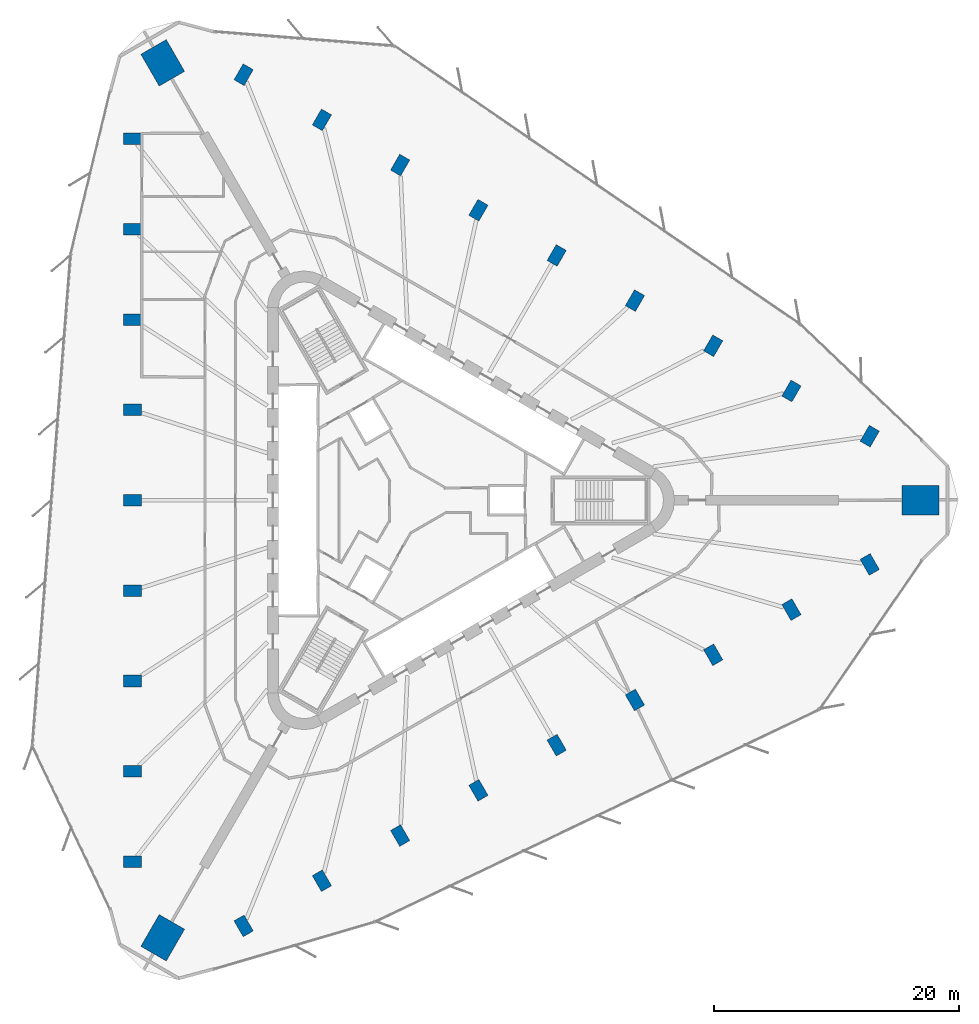
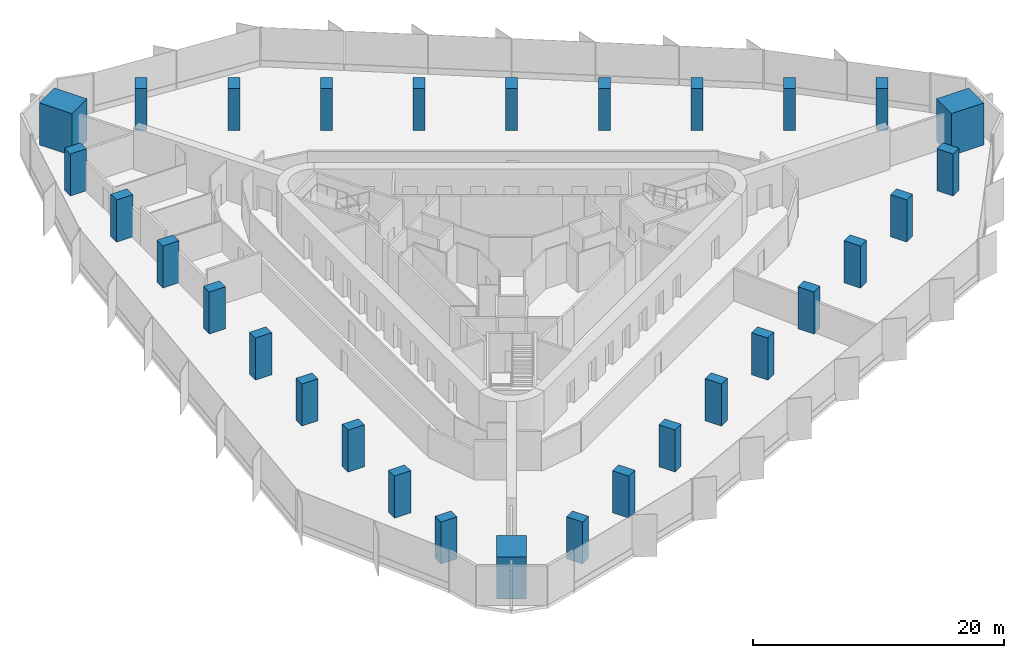
# One storey, part 1 of 14: 30 columns.
"""IFC4 building model written with IfcOpenShell, lengths in metres."""

import ifcopenshell
import ifcopenshell.guid

model = None  # the IFC model being written
_history = None  # IfcOwnerHistory: only IFC2X3 demands one
_inside = {}  # id of a spatial element -> (the spatial element, [elements in it])
_under = {}  # id of a project, library or spatial element -> (it, [spatial elements below it])
_declared = {}  # id of a project -> (the project, [libraries it declares])
_typed = {}  # id of a type object -> (the type object, [elements of that type])
_made_of = {}  # id of a material, layer set ... -> (it, [elements and type objects made of it])


def new_model(schema):
    """Start an empty IFC model of exactly this schema.

    Asked for "IFC4X3", IfcOpenShell would pick the latest addendum, in which some entities
    have other attributes; the version numbers below select the first issue.
    IFC2X3 requires an IfcOwnerHistory on every rooted entity: one is made here for all.
    """
    global model, _history
    if schema == "IFC4X3":
        model = ifcopenshell.file(schema_version=(4, 3, 0, 0))
    else:
        model = ifcopenshell.file(schema=schema)
    _inside.clear()
    _under.clear()
    _declared.clear()
    _typed.clear()
    _made_of.clear()
    _history = None
    if model.schema == "IFC2X3":
        org = make("IfcOrganization", Name="unknown")
        user = make(
            "IfcPersonAndOrganization",
            ThePerson=make("IfcPerson", FamilyName="unknown"),
            TheOrganization=org,
        )
        app = make(
            "IfcApplication",
            ApplicationDeveloper=org,
            Version="unknown",
            ApplicationFullName="unknown",
            ApplicationIdentifier="unknown",
        )
        _history = make(
            "IfcOwnerHistory",
            OwningUser=user,
            OwningApplication=app,
            ChangeAction="ADDED",
            CreationDate=0,
        )
    return model


def make(cls, **values):
    """One entity of the class cls with the attributes given. An attribute that is None is left unset."""
    return model.create_entity(
        cls, **{name: value for name, value in values.items() if value is not None}
    )


def rooted(cls, **values):
    """An entity with a GlobalId (a new one), such as an element, a storey or a relation."""
    return make(cls, GlobalId=ifcopenshell.guid.new(), OwnerHistory=_history, **values)


def si_unit(unit_type, name, prefix=None):
    """IfcSIUnit, for example si_unit("LENGTHUNIT", "METRE", prefix="MILLI")."""
    return make("IfcSIUnit", UnitType=unit_type, Prefix=prefix, Name=name)


def assignment(units):
    """IfcUnitAssignment: the units of a project."""
    return None if units is None else make("IfcUnitAssignment", Units=units)


def point(xyz):
    """IfcCartesianPoint."""
    return None if xyz is None else make("IfcCartesianPoint", Coordinates=xyz)


def direction(xyz):
    """IfcDirection."""
    return None if xyz is None else make("IfcDirection", DirectionRatios=xyz)


def frame(location, z_axis=None, x_axis=None):
    """IfcAxis2Placement3D, a coordinate frame: its origin and axes. An axis left out is left unset."""
    return make(
        "IfcAxis2Placement3D",
        Location=point(location),
        Axis=direction(z_axis),
        RefDirection=direction(x_axis),
    )


def frame_2d(location, x_axis=None):
    """IfcAxis2Placement2D, a coordinate frame in the plane: its origin and x axis."""
    return make(
        "IfcAxis2Placement2D", Location=point(location), RefDirection=direction(x_axis)
    )


def origin():
    """The frame at (0, 0, 0) with its axes left unset."""
    return frame((0.0, 0.0, 0.0))


def origin_2d():
    """The frame at (0, 0) in the plane with its x axis left unset."""
    return frame_2d((0.0, 0.0))


def place(relative_to, where):
    """IfcLocalPlacement: puts the frame where relative to a parent placement (None: the world)."""
    return make(
        "IfcLocalPlacement", PlacementRelTo=relative_to, RelativePlacement=where
    )


def context(
    kind, dimensions, precision=None, world=None, true_north=None, identifier=None
):
    """IfcGeometricRepresentationContext, for example the 3D "Model" context."""
    return make(
        "IfcGeometricRepresentationContext",
        ContextIdentifier=identifier,
        ContextType=kind,
        CoordinateSpaceDimension=dimensions,
        Precision=precision,
        WorldCoordinateSystem=world,
        TrueNorth=true_north,
    )


def subcontext(parent, identifier, kind, view, scale=None):
    """IfcGeometricRepresentationSubContext, for example "Body" below "Model"."""
    return make(
        "IfcGeometricRepresentationSubContext",
        ContextIdentifier=identifier,
        ContextType=kind,
        ParentContext=parent,
        TargetScale=scale,
        TargetView=view,
    )


def project(units=None, contexts=None):
    """IfcProject with its units and contexts."""
    return rooted(
        "IfcProject",
        Name="project",
        RepresentationContexts=contexts,
        UnitsInContext=assignment(units),
    )


def spatial(cls, under=None, at=None, **own):
    """A site, building, storey or space (cls), placed at a placement, below another one or the project."""
    s = rooted(cls, ObjectPlacement=at, **own)
    if under is not None:
        _under.setdefault(under.id(), (under, []))[1].append(s)
    return s


def profile(cls, at=None, kind="AREA", **sizes):
    """A parametric profile (cls). Its sizes go by their IFC names, for example OverallWidth=200.0."""
    return make(cls, ProfileType=kind, Position=at, **sizes)


def rectangle(**sizes):
    """IfcRectangleProfileDef."""
    return profile("IfcRectangleProfileDef", **sizes)


def extrude(swept, where, along, depth):
    """IfcExtrudedAreaSolid: the profile swept, set in the frame where, extruded along a direction by depth."""
    return make(
        "IfcExtrudedAreaSolid",
        SweptArea=swept,
        Position=where,
        ExtrudedDirection=direction(along),
        Depth=depth,
    )


def shape(context_of_items, identifier, shape_type, items):
    """IfcShapeRepresentation: the items that make up one representation, for example the "Body"."""
    return make(
        "IfcShapeRepresentation",
        ContextOfItems=context_of_items,
        RepresentationIdentifier=identifier,
        RepresentationType=shape_type,
        Items=items,
    )


def material(Name=None, Category=None):
    """IfcMaterial."""
    return make("IfcMaterial", Name=Name, Category=Category)


def material_profile(
    of_material, cross_section, Name=None, Category=None, Priority=None
):
    """IfcMaterialProfile: a cross section and its material."""
    return make(
        "IfcMaterialProfile",
        Name=Name,
        Material=of_material,
        Profile=cross_section,
        Priority=Priority,
        Category=Category,
    )


def profile_set(profiles, Name=None, composite=None):
    """IfcMaterialProfileSet."""
    return make(
        "IfcMaterialProfileSet",
        Name=Name,
        MaterialProfiles=profiles,
        CompositeProfile=composite,
    )


def made_of(thing, what):
    """Note that an element or type object is made of a material, layer set ...; save() writes the relation."""
    if what is not None:
        _made_of.setdefault(what.id(), (what, []))[1].append(thing)
    return thing


def type_object(cls, material=None, **own):
    """A type object (cls), such as IfcWallType, which elements share."""
    return made_of(rooted(cls, **own), material)


def element(
    cls,
    number,
    at=None,
    inside=None,
    cuts=None,
    type_object=None,
    material=None,
    context=None,
    identifier="Body",
    shape_type=None,
    held_by="IfcProductDefinitionShape",
    body=None,
    shapes=None,
    **own,
):
    """One element of the class cls, such as IfcWall. Its Tag is "e" and its number.

    at: its placement. inside: the storey or other place that contains it. cuts: it is an
    opening in that element (IfcRelVoidsElement). A single representation is given by context,
    identifier, shape_type and body (its items); several are given by shapes. held_by: the class
    of the entity that holds the representations. save() writes the other relations.
    """
    e = rooted(cls, Tag="e%d" % number, ObjectPlacement=at, **own)
    if body is not None:
        shapes = [shape(context, identifier, shape_type, body)]
    if shapes is not None:
        e.Representation = make(held_by, Representations=shapes)
    if inside is not None:
        _inside.setdefault(inside.id(), (inside, []))[1].append(e)
    if cuts is not None:
        rooted(
            "IfcRelVoidsElement", RelatingBuildingElement=cuts, RelatedOpeningElement=e
        )
    if type_object is not None:
        _typed.setdefault(type_object.id(), (type_object, []))[1].append(e)
    return made_of(e, material)


def aggregate(whole, parts):
    """IfcRelAggregates: a whole, such as a stair, and the parts it consists of."""
    return rooted("IfcRelAggregates", RelatingObject=whole, RelatedObjects=parts)


def save(model, path):
    """Write the relations noted so far, then the file.

    IfcRelAggregates (storeys below a building ...), IfcRelContainedInSpatialStructure (elements
    in a storey), IfcRelDefinesByType, IfcRelAssociatesMaterial and IfcRelDeclares: one each for
    every whole, place, type object, material and project.
    """
    for whole, parts in _under.values():
        aggregate(whole, parts)
    for where, things in _inside.values():
        rooted(
            "IfcRelContainedInSpatialStructure",
            RelatedElements=things,
            RelatingStructure=where,
        )
    for kind, things in _typed.values():
        rooted("IfcRelDefinesByType", RelatedObjects=things, RelatingType=kind)
    for what, things in _made_of.values():
        rooted("IfcRelAssociatesMaterial", RelatedObjects=things, RelatingMaterial=what)
    for by, libraries in _declared.values():
        rooted("IfcRelDeclares", RelatingContext=by, RelatedDefinitions=libraries)
    model.write(path)


model = new_model("IFC4")

# Units and contexts
model_context = context("Model", 3, precision=1e-05, world=origin(), true_north=direction((0.0, 1.0)))
body_context = subcontext(model_context, "Body", "Model", "MODEL_VIEW")
ifc_project = project(units=[si_unit("LENGTHUNIT", "METRE"), si_unit("AREAUNIT", "SQUARE_METRE"), si_unit("VOLUMEUNIT", "CUBIC_METRE"), si_unit("PLANEANGLEUNIT", "RADIAN"), si_unit("MASSUNIT", "GRAM", prefix="KILO")], contexts=[model_context])

# Site, building, storey
site_placement = place(None, origin())
site = spatial("IfcSite", under=ifc_project, at=site_placement, CompositionType="ELEMENT")
building_placement = place(site_placement, origin())
building = spatial("IfcBuilding", under=site, at=building_placement, Name="Tanit Gate Tower", CompositionType="ELEMENT")
storey_placement = place(building_placement, frame((0.0, 0.0, 90.60009765625)))
storey = spatial("IfcBuildingStorey", under=building, at=storey_placement, Name="L18", CompositionType="ELEMENT", Elevation=90.60009765625)

# Columns
ifc_material_1 = material(Name="Concrete C70/85", Category="concrete")
ifc_material_profile_1 = material_profile(ifc_material_1, rectangle(XDim=3.0, YDim=2.39990234375, at=origin_2d()), Name="RC 3000x2400")
ifc_profile_set_1 = profile_set([ifc_material_profile_1], Name="Concrete C70/85")
column_type_1 = type_object("IfcColumnType", Name="MEGA COLUMN 3000x2400 C70/85", PredefinedType="COLUMN", material=ifc_profile_set_1)
for number, where, z_axis, x_axis, name in (
    (1, (41.318359375, 0.0, 0.0), (0.0, 0.0, 1.0), (1.0, 0.0, 0.0), "MEGA COLUMN"),
    (2, (-20.6591796875, 35.78271484375, 0.0), (0.0, 0.0, 1.0), (-0.5, 0.866025403784, 0.0), "MEGA COLUMN"),
    (3, (-20.6591796875, -35.78271484375, 0.0), (0.0, 0.0, 1.0), (-0.5, -0.866025403784, 0.0), "MEGA COLUMN"),
):
    element("IfcColumn", number, at=place(storey_placement, frame(where, z_axis=z_axis, x_axis=x_axis)), inside=storey, type_object=column_type_1, Name=name, PredefinedType="COLUMN", context=body_context, shape_type="SweptSolid", body=[
        extrude(rectangle(XDim=3.0, YDim=2.39990234375, at=origin_2d()), origin(), (0.0, 0.0, 1.0), 4.099853515625),
    ])
ifc_material_2 = material(Name="Concrete C60/75", Category="concrete")
ifc_material_profile_2 = material_profile(ifc_material_2, rectangle(XDim=1.5, YDim=0.949951171875, at=origin_2d()), Name="RC 1500x950")
ifc_profile_set_2 = profile_set([ifc_material_profile_2], Name="Concrete C60/75")
column_type_2 = type_object("IfcColumnType", Name="PERIMETER COLUMN 1500x950 C60/75", PredefinedType="COLUMN", material=ifc_profile_set_2)
for number, where, z_axis, x_axis, name in (
    (4, (-23.126708984375, 29.56591796875, 0.0), (0.0, 0.0, 1.0), (-1.0, 0.0, 0.0), "PERIMETER COLUMN"),
    (5, (-23.126708984375, 22.17431640625, 0.0), (0.0, 0.0, 1.0), (-1.0, 0.0, 0.0), "PERIMETER COLUMN"),
    (6, (-23.126708984375, 14.782958984375, 0.0), (0.0, 0.0, 1.0), (-1.0, 0.0, 0.0), "PERIMETER COLUMN"),
    (7, (-23.126708984375, 7.391357421875, 0.0), (0.0, 0.0, 1.0), (-1.0, 0.0, 0.0), "PERIMETER COLUMN"),
    (8, (-23.126708984375, 0.0, 0.0), (0.0, 0.0, 1.0), (-1.0, 0.0, 0.0), "PERIMETER COLUMN"),
    (9, (-23.126708984375, -7.391357421875, 0.0), (0.0, 0.0, 1.0), (-1.0, 0.0, 0.0), "PERIMETER COLUMN"),
    (10, (-23.126708984375, -14.782958984375, 0.0), (0.0, 0.0, 1.0), (-1.0, 0.0, 0.0), "PERIMETER COLUMN"),
    (11, (-23.126708984375, -22.17431640625, 0.0), (0.0, 0.0, 1.0), (-1.0, 0.0, 0.0), "PERIMETER COLUMN"),
    (12, (-23.126708984375, -29.56591796875, 0.0), (0.0, 0.0, 1.0), (-1.0, 0.0, 0.0), "PERIMETER COLUMN"),
    (13, (37.168212890625, 5.24560546875, 0.0), (0.0, 0.0, 1.0), (0.5, 0.866025403784, 0.0), "PERIMETER COLUMN"),
    (14, (30.766845703125, 8.941162109375, 0.0), (0.0, 0.0, 1.0), (0.5, 0.866025403784, 0.0), "PERIMETER COLUMN"),
    (15, (24.36572265625, 12.636962890625, 0.0), (0.0, 0.0, 1.0), (0.5, 0.866025403784, 0.0), "PERIMETER COLUMN"),
    (16, (17.964599609375, 16.332763671875, 0.0), (0.0, 0.0, 1.0), (0.5, 0.866025403784, 0.0), "PERIMETER COLUMN"),
    (17, (11.5634765625, 20.0283203125, 0.0), (0.0, 0.0, 1.0), (0.5, 0.866025403784, 0.0), "PERIMETER COLUMN"),
    (18, (5.162109375, 23.72412109375, 0.0), (0.0, 0.0, 1.0), (0.5, 0.866025403784, 0.0), "PERIMETER COLUMN"),
    (19, (-1.239013671875, 27.419921875, 0.0), (0.0, 0.0, 1.0), (0.5, 0.866025403784, 0.0), "PERIMETER COLUMN"),
    (20, (-7.64013671875, 31.115478515625, 0.0), (0.0, 0.0, 1.0), (0.5, 0.866025403784, 0.0), "PERIMETER COLUMN"),
    (21, (-14.041259765625, 34.811279296875, 0.0), (0.0, 0.0, 1.0), (0.5, 0.866025403784, 0.0), "PERIMETER COLUMN"),
    (22, (-14.041259765625, -34.811279296875, 0.0), (0.0, 0.0, 1.0), (0.5, -0.866025403784, 0.0), "PERIMETER COLUMN"),
    (23, (-7.64013671875, -31.115478515625, 0.0), (0.0, 0.0, 1.0), (0.5, -0.866025403784, 0.0), "PERIMETER COLUMN"),
    (24, (-1.239013671875, -27.419921875, 0.0), (0.0, 0.0, 1.0), (0.5, -0.866025403784, 0.0), "PERIMETER COLUMN"),
    (25, (5.162109375, -23.72412109375, 0.0), (0.0, 0.0, 1.0), (0.5, -0.866025403784, 0.0), "PERIMETER COLUMN"),
    (26, (11.5634765625, -20.0283203125, 0.0), (0.0, 0.0, 1.0), (0.5, -0.866025403784, 0.0), "PERIMETER COLUMN"),
    (27, (17.964599609375, -16.332763671875, 0.0), (0.0, 0.0, 1.0), (0.5, -0.866025403784, 0.0), "PERIMETER COLUMN"),
    (28, (24.36572265625, -12.636962890625, 0.0), (0.0, 0.0, 1.0), (0.5, -0.866025403784, 0.0), "PERIMETER COLUMN"),
    (29, (30.766845703125, -8.941162109375, 0.0), (0.0, 0.0, 1.0), (0.5, -0.866025403784, 0.0), "PERIMETER COLUMN"),
    (30, (37.168212890625, -5.24560546875, 0.0), (0.0, 0.0, 1.0), (0.5, -0.866025403784, 0.0), "PERIMETER COLUMN"),
):
    element("IfcColumn", number, at=place(storey_placement, frame(where, z_axis=z_axis, x_axis=x_axis)), inside=storey, type_object=column_type_2, Name=name, PredefinedType="COLUMN", context=body_context, shape_type="SweptSolid", body=[
        extrude(rectangle(XDim=1.5, YDim=0.949951171875, at=origin_2d()), origin(), (0.0, 0.0, 1.0), 4.099853515625),
    ])

save(model, "model.ifc")
